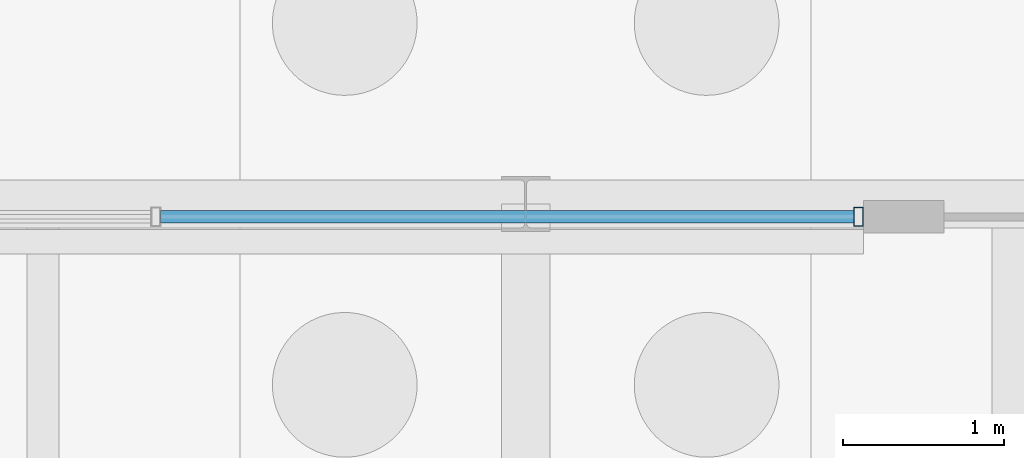
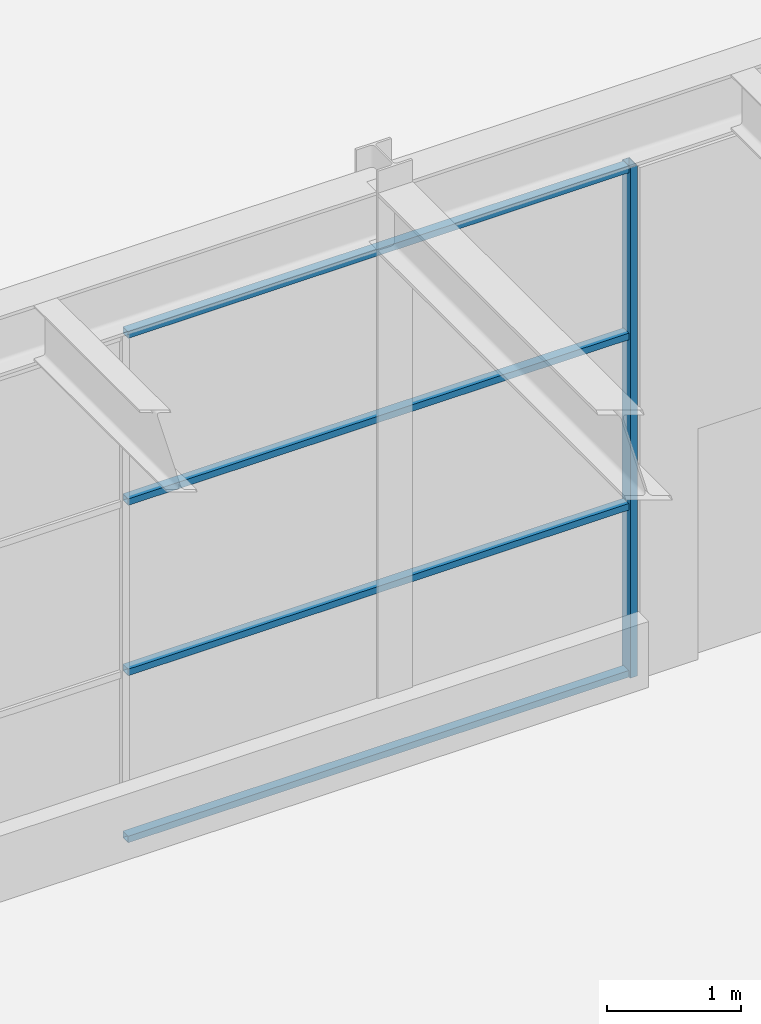
# One storey, part 37 of 126: 5 members, 1 element without a shape of its own.
"""IFC4 building model written with IfcOpenShell, lengths in metres."""

from ifc_helpers import new_model, si_unit, direction, frame, origin, origin_2d, place, context, subcontext, project, spatial, hollow_rectangle, extrude, material, material_profile, profile_set, type_object, element, aggregate, save


model = new_model("IFC4")

# Units and contexts
model_context = context("Model", 3, precision=1e-05, world=origin(), true_north=direction((0.0, 1.0)))
body_context = subcontext(model_context, "Body", "Model", "MODEL_VIEW")
ifc_project = project(units=[si_unit("LENGTHUNIT", "METRE"), si_unit("AREAUNIT", "SQUARE_METRE"), si_unit("VOLUMEUNIT", "CUBIC_METRE"), si_unit("PLANEANGLEUNIT", "RADIAN"), si_unit("MASSUNIT", "GRAM", prefix="KILO")], contexts=[model_context])

# Site, building, storey
site_placement = place(None, origin())
site = spatial("IfcSite", under=ifc_project, at=site_placement, CompositionType="ELEMENT")
building_placement = place(site_placement, origin())
building = spatial("IfcBuilding", under=site, at=building_placement, Name="Kallimachos Central Library", CompositionType="ELEMENT")
storey_placement = place(building_placement, origin())
storey = spatial("IfcBuildingStorey", under=building, at=storey_placement, Name="L00", CompositionType="ELEMENT", Elevation=0.0)

# Curtain wall, members
ifc_material_1 = material(Name="Aluminium and laminated glass", Category="aluminium")
curtain_wall_type = type_object("IfcCurtainWallType", Name="Atrium glazed screen", PredefinedType="NOTDEFINED", material=ifc_material_1)
curtain_wall_placement = place(storey_placement, origin())
curtain_wall = element("IfcCurtainWall", 1, at=curtain_wall_placement, inside=storey, type_object=curtain_wall_type, Name="L00 atrium screen S", PredefinedType="NOTDEFINED")
ifc_material_2 = material(Name="Anodised aluminium", Category="aluminium")
ifc_material_profile_1 = material_profile(ifc_material_2, hollow_rectangle(XDim=0.06005859375, YDim=0.1201171875, WallThickness=0.00390625, at=origin_2d()), Name="ALU MULLION 60x120")
ifc_profile_set_1 = profile_set([ifc_material_profile_1], Name="Anodised aluminium")
member_type_1 = type_object("IfcMemberType", Name="Atrium screen mullion", PredefinedType="MULLION", material=ifc_profile_set_1)
member_1_placement = place(storey_placement, frame((94.570068359375, 56.919921875, 0.0), z_axis=(0.0, 0.0, 1.0), x_axis=(1.0, 0.0, 0.0)))
member_1 = element("IfcMember", 2, at=member_1_placement, type_object=member_type_1, Name="CW mullion 4", PredefinedType="MULLION", context=body_context, shape_type="SweptSolid", body=[
    extrude(hollow_rectangle(XDim=0.06005859375, YDim=0.1201171875, WallThickness=0.00390625, at=origin_2d()), origin(), (0.0, 0.0, 1.0), 4.64990234375),
])
ifc_material_3 = material(Name="Anodised aluminium", Category="aluminium")
ifc_material_profile_2 = material_profile(ifc_material_3, hollow_rectangle(XDim=0.06005859375, YDim=0.080078125, WallThickness=0.00390625, at=origin_2d()), Name="ALU TRANSOM 60x80")
ifc_profile_set_2 = profile_set([ifc_material_profile_2], Name="Anodised aluminium")
member_type_2 = type_object("IfcMemberType", Name="Atrium screen transom", PredefinedType="USERDEFINED", material=ifc_profile_set_2)
member_2_placement = place(storey_placement, frame((90.22998046875, 56.919921875, 0.030029296875), z_axis=(1.0, 0.0, 0.0), x_axis=(0.0, 0.0, 1.0)))
member_2 = element("IfcMember", 3, at=member_2_placement, type_object=member_type_2, Name="CW transom 3.1", ObjectType="TRANSOM", PredefinedType="USERDEFINED", context=body_context, shape_type="SweptSolid", body=[
    extrude(hollow_rectangle(XDim=0.06005859375, YDim=0.080078125, WallThickness=0.00390625, at=origin_2d()), origin(), (0.0, 0.0, 1.0), 4.31005859375),
])
member_3_placement = place(storey_placement, frame((90.22998046875, 56.919921875, 1.550048828125), z_axis=(1.0, 0.0, 0.0), x_axis=(0.0, 0.0, 1.0)))
member_3 = element("IfcMember", 4, at=member_3_placement, type_object=member_type_2, Name="CW transom 3.2", ObjectType="TRANSOM", PredefinedType="USERDEFINED", context=body_context, shape_type="SweptSolid", body=[
    extrude(hollow_rectangle(XDim=0.06005859375, YDim=0.080078125, WallThickness=0.00390625, at=origin_2d()), origin(), (0.0, 0.0, 1.0), 4.31005859375),
])
member_4_placement = place(storey_placement, frame((90.22998046875, 56.919921875, 3.10009765625), z_axis=(1.0, 0.0, 0.0), x_axis=(0.0, 0.0, 1.0)))
member_4 = element("IfcMember", 5, at=member_4_placement, type_object=member_type_2, Name="CW transom 3.3", ObjectType="TRANSOM", PredefinedType="USERDEFINED", context=body_context, shape_type="SweptSolid", body=[
    extrude(hollow_rectangle(XDim=0.06005859375, YDim=0.080078125, WallThickness=0.00390625, at=origin_2d()), origin(), (0.0, 0.0, 1.0), 4.31005859375),
])
member_5_placement = place(storey_placement, frame((90.22998046875, 56.919921875, 4.6201171875), z_axis=(1.0, 0.0, 0.0), x_axis=(0.0, 0.0, 1.0)))
member_5 = element("IfcMember", 6, at=member_5_placement, type_object=member_type_2, Name="CW transom 3.4", ObjectType="TRANSOM", PredefinedType="USERDEFINED", context=body_context, shape_type="SweptSolid", body=[
    extrude(hollow_rectangle(XDim=0.06005859375, YDim=0.080078125, WallThickness=0.00390625, at=origin_2d()), origin(), (0.0, 0.0, 1.0), 4.31005859375),
])
aggregate(curtain_wall, [member_1, member_2, member_3, member_4, member_5])

save(model, "model.ifc")
